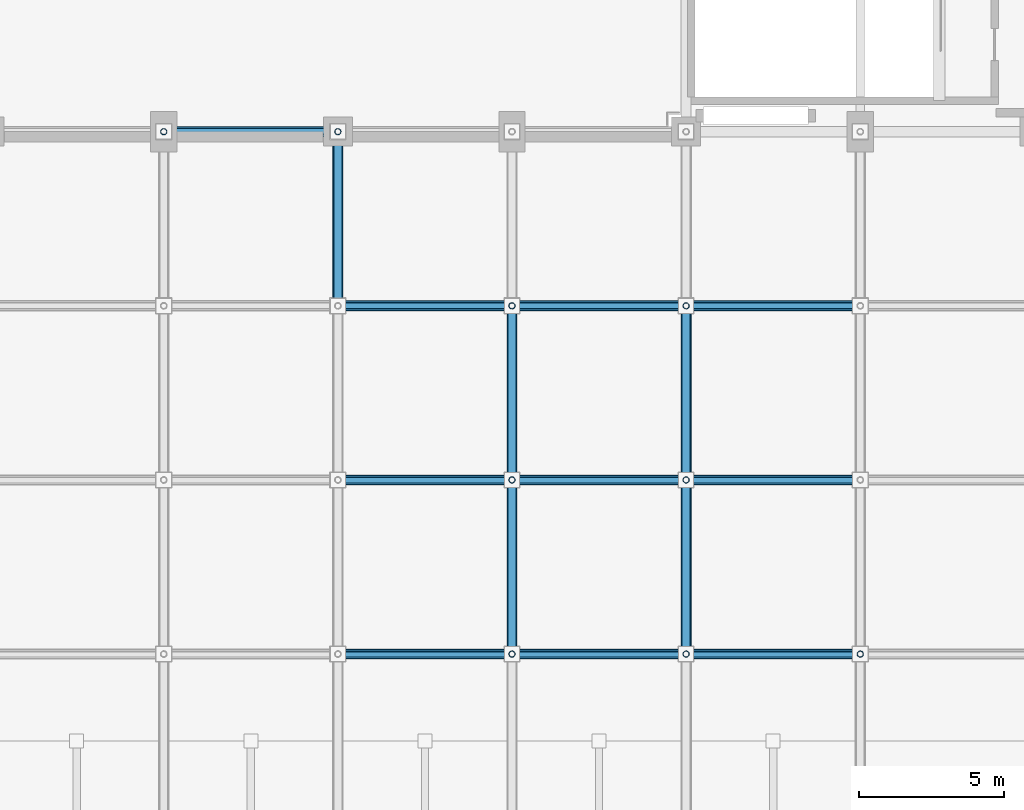
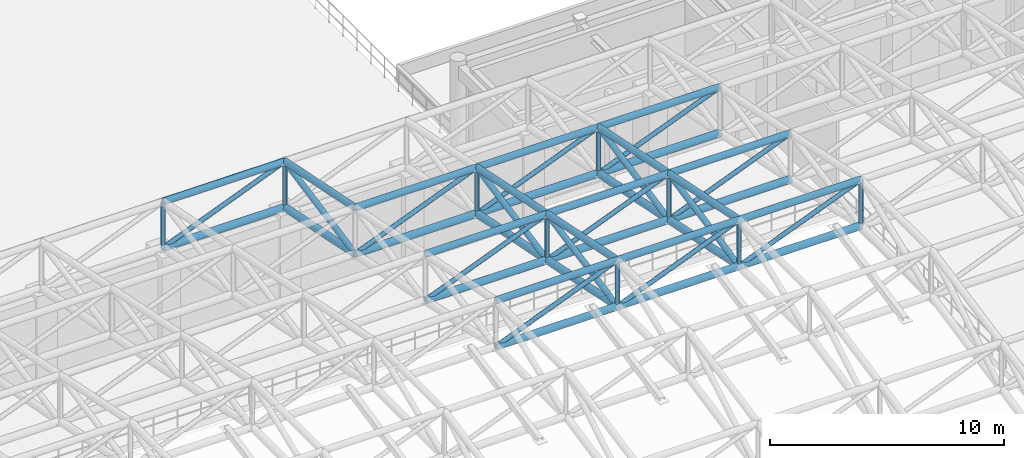
# One storey, part 32 of 112: 54 members.
"""IFC4 building model written with IfcOpenShell, lengths in metres."""

from ifc_helpers import new_model, si_unit, direction, frame, origin, origin_2d, place, context, subcontext, project, spatial, hollow_circle, extrude, material, material_profile, profile_set, type_object, element, save


model = new_model("IFC4")

# Units and contexts
model_context = context("Model", 3, precision=1e-05, world=origin(), true_north=direction((0.0, 1.0)))
body_context = subcontext(model_context, "Body", "Model", "MODEL_VIEW")
ifc_project = project(units=[si_unit("LENGTHUNIT", "METRE"), si_unit("AREAUNIT", "SQUARE_METRE"), si_unit("VOLUMEUNIT", "CUBIC_METRE"), si_unit("PLANEANGLEUNIT", "RADIAN"), si_unit("MASSUNIT", "GRAM", prefix="KILO"), si_unit("THERMODYNAMICTEMPERATUREUNIT", "KELVIN"), si_unit("POWERUNIT", "WATT")], contexts=[model_context])

# Site, building, storey
site_placement = place(None, origin())
site = spatial("IfcSite", under=ifc_project, at=site_placement, CompositionType="ELEMENT")
building_placement = place(site_placement, origin())
building = spatial("IfcBuilding", under=site, at=building_placement, Name="Phaisarnlok Congress Hotel", CompositionType="ELEMENT")
storey_placement = place(building_placement, frame((0.0, 0.0, 19.800048828125)))
storey = spatial("IfcBuildingStorey", under=building, at=storey_placement, Name="L04", CompositionType="ELEMENT", Elevation=19.800048828125)

# Members
ifc_material = material(Name="Steel S355", Category="steel")
ifc_material_profile_1 = material_profile(ifc_material, hollow_circle(Radius=0.109619140625, WallThickness=0.012451171875, at=origin_2d()), Name="CHS 219.1x12.5")
ifc_profile_set_1 = profile_set([ifc_material_profile_1], Name="Steel S355")
member_type_1 = type_object("IfcMemberType", Name="MEM-BRC-CHS219", PredefinedType="BRACE", material=ifc_profile_set_1)
member_1_placement = place(storey_placement, frame((24.0, 84.0, 4.800048828125), z_axis=(0.0, 0.0, 1.0), x_axis=(1.0, 0.0, 0.0)))
element("IfcMember", 1, at=member_1_placement, inside=storey, type_object=member_type_1, Name="Congress Hall space frame vertical brace TB-02", PredefinedType="BRACE", context=body_context, shape_type="SweptSolid", body=[
    extrude(hollow_circle(Radius=0.109619140625, WallThickness=0.012451171875, at=origin_2d()), origin(), (0.0, 0.0, 1.0), 2.39990234375),
])
for number, where, z_axis, x_axis, name in (
    (2, (24.0, 84.0, 4.800048828125), (0.928481901832, 0.0, 0.371377648723), (0.0, 1.0, 0.0), "Congress Hall space frame web diagonal TB-02"),
    (3, (30.0, 66.0, 8.462158203125), (0.928481901832, 0.0, 0.371377648723), (0.0, 1.0, 0.0), "Congress Hall space frame web diagonal TB-02"),
    (4, (30.0, 72.0, 7.241455078125), (0.928481901832, 0.0, 0.371377648723), (0.0, 1.0, 0.0), "Congress Hall space frame web diagonal TB-02"),
    (5, (30.0, 78.0, 6.020751953125), (0.928481901832, 0.0, 0.371377648723), (0.0, 1.0, 0.0), "Congress Hall space frame web diagonal TB-02"),
):
    element("IfcMember", number, at=place(storey_placement, frame(where, z_axis=z_axis, x_axis=x_axis)), inside=storey, type_object=member_type_1, Name=name, PredefinedType="BRACE", context=body_context, shape_type="SweptSolid", body=[
        extrude(hollow_circle(Radius=0.109619140625, WallThickness=0.012451171875, at=origin_2d()), origin(), (0.0, 0.0, 1.0), 6.462158203125),
    ])
for number, where, z_axis, x_axis, name in (
    (6, (30.0, 84.0, 4.800048828125), (0.0, 0.0, 1.0), (1.0, 0.0, 0.0), "Congress Hall space frame vertical brace TB-02"),
    (7, (36.0, 66.0, 8.462158203125), (0.0, 0.0, 1.0), (1.0, 0.0, 0.0), "Congress Hall space frame vertical brace TB-02"),
):
    element("IfcMember", number, at=place(storey_placement, frame(where, z_axis=z_axis, x_axis=x_axis)), inside=storey, type_object=member_type_1, Name=name, PredefinedType="BRACE", context=body_context, shape_type="SweptSolid", body=[
        extrude(hollow_circle(Radius=0.109619140625, WallThickness=0.012451171875, at=origin_2d()), origin(), (0.0, 0.0, 1.0), 2.39990234375),
    ])
member_2_placement = place(storey_placement, frame((36.0, 66.0, 8.462158203125), z_axis=(0.928481901832, 0.0, 0.371377648723), x_axis=(0.0, 1.0, 0.0)))
element("IfcMember", 8, at=member_2_placement, inside=storey, type_object=member_type_1, Name="Congress Hall space frame web diagonal TB-02", PredefinedType="BRACE", context=body_context, shape_type="SweptSolid", body=[
    extrude(hollow_circle(Radius=0.109619140625, WallThickness=0.012451171875, at=origin_2d()), origin(), (0.0, 0.0, 1.0), 6.462158203125),
])
member_3_placement = place(storey_placement, frame((36.0, 72.0, 7.241455078125), z_axis=(0.0, 0.0, 1.0), x_axis=(1.0, 0.0, 0.0)))
element("IfcMember", 9, at=member_3_placement, inside=storey, type_object=member_type_1, Name="Congress Hall space frame vertical brace TB-02", PredefinedType="BRACE", context=body_context, shape_type="SweptSolid", body=[
    extrude(hollow_circle(Radius=0.109619140625, WallThickness=0.012451171875, at=origin_2d()), origin(), (0.0, 0.0, 1.0), 2.39990234375),
])
member_4_placement = place(storey_placement, frame((36.0, 72.0, 7.241455078125), z_axis=(0.928481901832, 0.0, 0.371377648723), x_axis=(0.0, 1.0, 0.0)))
element("IfcMember", 10, at=member_4_placement, inside=storey, type_object=member_type_1, Name="Congress Hall space frame web diagonal TB-02", PredefinedType="BRACE", context=body_context, shape_type="SweptSolid", body=[
    extrude(hollow_circle(Radius=0.109619140625, WallThickness=0.012451171875, at=origin_2d()), origin(), (0.0, 0.0, 1.0), 6.462158203125),
])
member_5_placement = place(storey_placement, frame((36.0, 78.0, 6.020751953125), z_axis=(0.0, 0.0, 1.0), x_axis=(1.0, 0.0, 0.0)))
element("IfcMember", 11, at=member_5_placement, inside=storey, type_object=member_type_1, Name="Congress Hall space frame vertical brace TB-02", PredefinedType="BRACE", context=body_context, shape_type="SweptSolid", body=[
    extrude(hollow_circle(Radius=0.109619140625, WallThickness=0.012451171875, at=origin_2d()), origin(), (0.0, 0.0, 1.0), 2.39990234375),
])
member_6_placement = place(storey_placement, frame((36.0, 78.0, 6.020751953125), z_axis=(0.928481901832, 0.0, 0.371377648723), x_axis=(0.0, 1.0, 0.0)))
element("IfcMember", 12, at=member_6_placement, inside=storey, type_object=member_type_1, Name="Congress Hall space frame web diagonal TB-02", PredefinedType="BRACE", context=body_context, shape_type="SweptSolid", body=[
    extrude(hollow_circle(Radius=0.109619140625, WallThickness=0.012451171875, at=origin_2d()), origin(), (0.0, 0.0, 1.0), 6.462158203125),
])
member_7_placement = place(storey_placement, frame((42.0, 66.0, 8.462158203125), z_axis=(0.0, 0.0, 1.0), x_axis=(1.0, 0.0, 0.0)))
element("IfcMember", 13, at=member_7_placement, inside=storey, type_object=member_type_1, Name="Congress Hall space frame vertical brace TB-02", PredefinedType="BRACE", context=body_context, shape_type="SweptSolid", body=[
    extrude(hollow_circle(Radius=0.109619140625, WallThickness=0.012451171875, at=origin_2d()), origin(), (0.0, 0.0, 1.0), 2.39990234375),
])
member_8_placement = place(storey_placement, frame((42.0, 66.0, 8.462158203125), z_axis=(0.928481901832, 0.0, 0.371377648723), x_axis=(0.0, 1.0, 0.0)))
element("IfcMember", 14, at=member_8_placement, inside=storey, type_object=member_type_1, Name="Congress Hall space frame web diagonal TB-02", PredefinedType="BRACE", context=body_context, shape_type="SweptSolid", body=[
    extrude(hollow_circle(Radius=0.109619140625, WallThickness=0.012451171875, at=origin_2d()), origin(), (0.0, 0.0, 1.0), 6.462158203125),
])
member_9_placement = place(storey_placement, frame((42.0, 72.0, 7.241455078125), z_axis=(0.0, 0.0, 1.0), x_axis=(1.0, 0.0, 0.0)))
element("IfcMember", 15, at=member_9_placement, inside=storey, type_object=member_type_1, Name="Congress Hall space frame vertical brace TB-02", PredefinedType="BRACE", context=body_context, shape_type="SweptSolid", body=[
    extrude(hollow_circle(Radius=0.109619140625, WallThickness=0.012451171875, at=origin_2d()), origin(), (0.0, 0.0, 1.0), 2.39990234375),
])
member_10_placement = place(storey_placement, frame((42.0, 72.0, 7.241455078125), z_axis=(0.928481901832, 0.0, 0.371377648723), x_axis=(0.0, 1.0, 0.0)))
element("IfcMember", 16, at=member_10_placement, inside=storey, type_object=member_type_1, Name="Congress Hall space frame web diagonal TB-02", PredefinedType="BRACE", context=body_context, shape_type="SweptSolid", body=[
    extrude(hollow_circle(Radius=0.109619140625, WallThickness=0.012451171875, at=origin_2d()), origin(), (0.0, 0.0, 1.0), 6.462158203125),
])
member_11_placement = place(storey_placement, frame((42.0, 78.0, 6.020751953125), z_axis=(0.0, 0.0, 1.0), x_axis=(1.0, 0.0, 0.0)))
element("IfcMember", 17, at=member_11_placement, inside=storey, type_object=member_type_1, Name="Congress Hall space frame vertical brace TB-02", PredefinedType="BRACE", context=body_context, shape_type="SweptSolid", body=[
    extrude(hollow_circle(Radius=0.109619140625, WallThickness=0.012451171875, at=origin_2d()), origin(), (0.0, 0.0, 1.0), 2.39990234375),
])
member_12_placement = place(storey_placement, frame((42.0, 78.0, 6.020751953125), z_axis=(0.928481901832, 0.0, 0.371377648723), x_axis=(0.0, 1.0, 0.0)))
element("IfcMember", 18, at=member_12_placement, inside=storey, type_object=member_type_1, Name="Congress Hall space frame web diagonal TB-02", PredefinedType="BRACE", context=body_context, shape_type="SweptSolid", body=[
    extrude(hollow_circle(Radius=0.109619140625, WallThickness=0.012451171875, at=origin_2d()), origin(), (0.0, 0.0, 1.0), 6.462158203125),
])
member_13_placement = place(storey_placement, frame((48.0, 66.0, 8.462158203125), z_axis=(0.0, 0.0, 1.0), x_axis=(1.0, 0.0, 0.0)))
element("IfcMember", 19, at=member_13_placement, inside=storey, type_object=member_type_1, Name="Congress Hall space frame vertical brace TB-02", PredefinedType="BRACE", context=body_context, shape_type="SweptSolid", body=[
    extrude(hollow_circle(Radius=0.109619140625, WallThickness=0.012451171875, at=origin_2d()), origin(), (0.0, 0.0, 1.0), 2.39990234375),
])
ifc_material_profile_2 = material_profile(ifc_material, hollow_circle(Radius=0.136474609375, WallThickness=0.01611328125, at=origin_2d()), Name="CHS 273x16")
ifc_profile_set_2 = profile_set([ifc_material_profile_2], Name="Steel S355")
member_type_2 = type_object("IfcMemberType", Name="MEM-BRC-CHS273", PredefinedType="BRACE", material=ifc_profile_set_2)
for number, where, z_axis, x_axis, name in (
    (20, (30.0, 78.0, 6.020751953125), (0.0, 0.981229397887, 0.192844156567), (-1.0, 0.0, 0.0), "Congress Hall space frame raking brace TB-03"),
    (21, (36.0, 66.0, 8.462158203125), (0.0, 0.981229397887, 0.192844156567), (-1.0, 0.0, 0.0), "Congress Hall space frame raking brace TB-03"),
    (22, (36.0, 72.0, 7.241455078125), (0.0, 0.981229397887, 0.192844156567), (-1.0, 0.0, 0.0), "Congress Hall space frame raking brace TB-03"),
    (23, (42.0, 66.0, 8.462158203125), (0.0, 0.981229397887, 0.192844156567), (-1.0, 0.0, 0.0), "Congress Hall space frame raking brace TB-03"),
    (24, (42.0, 72.0, 7.241455078125), (0.0, 0.981229397887, 0.192844156567), (-1.0, 0.0, 0.0), "Congress Hall space frame raking brace TB-03"),
):
    element("IfcMember", number, at=place(storey_placement, frame(where, z_axis=z_axis, x_axis=x_axis)), inside=storey, type_object=member_type_2, Name=name, PredefinedType="BRACE", context=body_context, shape_type="SweptSolid", body=[
        extrude(hollow_circle(Radius=0.136474609375, WallThickness=0.01611328125, at=origin_2d()), origin(), (0.0, 0.0, 1.0), 6.11474609375),
    ])
ifc_material_profile_3 = material_profile(ifc_material, hollow_circle(Radius=0.161865234375, WallThickness=0.01611328125, at=origin_2d()), Name="CHS 323.9x16")
ifc_profile_set_3 = profile_set([ifc_material_profile_3], Name="Steel S355")
member_type_3 = type_object("IfcMemberType", Name="MEM-CHD-CHS324", PredefinedType="CHORD", material=ifc_profile_set_3)
for number, where, z_axis, x_axis, name in (
    (25, (24.0, 84.0, 7.199951171875), (1.0, 0.0, 0.0), (0.0, 1.0, 0.0), "Congress Hall space frame top chord TC-02"),
    (26, (30.0, 66.0, 10.862060546875), (1.0, 0.0, 0.0), (0.0, 1.0, 0.0), "Congress Hall space frame top chord TC-02"),
    (27, (30.0, 72.0, 9.641357421875), (1.0, 0.0, 0.0), (0.0, 1.0, 0.0), "Congress Hall space frame top chord TC-02"),
    (28, (30.0, 78.0, 8.420654296875), (1.0, 0.0, 0.0), (0.0, 1.0, 0.0), "Congress Hall space frame top chord TC-02"),
):
    element("IfcMember", number, at=place(storey_placement, frame(where, z_axis=z_axis, x_axis=x_axis)), inside=storey, type_object=member_type_3, Name=name, PredefinedType="CHORD", context=body_context, shape_type="SweptSolid", body=[
        extrude(hollow_circle(Radius=0.161865234375, WallThickness=0.01611328125, at=origin_2d()), origin(), (0.0, 0.0, 1.0), 6.0),
    ])
member_14_placement = place(storey_placement, frame((30.0, 78.0, 8.420654296875), z_axis=(0.0, 0.979925045119, -0.199366260807), x_axis=(-1.0, 0.0, 0.0)))
element("IfcMember", 29, at=member_14_placement, inside=storey, type_object=member_type_3, Name="Congress Hall space frame top chord TC-02", PredefinedType="CHORD", context=body_context, shape_type="SweptSolid", body=[
    extrude(hollow_circle(Radius=0.161865234375, WallThickness=0.01611328125, at=origin_2d()), origin(), (0.0, 0.0, 1.0), 6.122802734375),
])
member_15_placement = place(storey_placement, frame((36.0, 66.0, 10.862060546875), z_axis=(1.0, 0.0, 0.0), x_axis=(0.0, 1.0, 0.0)))
element("IfcMember", 30, at=member_15_placement, inside=storey, type_object=member_type_3, Name="Congress Hall space frame top chord TC-02", PredefinedType="CHORD", context=body_context, shape_type="SweptSolid", body=[
    extrude(hollow_circle(Radius=0.161865234375, WallThickness=0.01611328125, at=origin_2d()), origin(), (0.0, 0.0, 1.0), 6.0),
])
member_16_placement = place(storey_placement, frame((36.0, 66.0, 10.862060546875), z_axis=(0.0, 0.979925045119, -0.199366260807), x_axis=(-1.0, 0.0, 0.0)))
element("IfcMember", 31, at=member_16_placement, inside=storey, type_object=member_type_3, Name="Congress Hall space frame top chord TC-02", PredefinedType="CHORD", context=body_context, shape_type="SweptSolid", body=[
    extrude(hollow_circle(Radius=0.161865234375, WallThickness=0.01611328125, at=origin_2d()), origin(), (0.0, 0.0, 1.0), 6.122802734375),
])
member_17_placement = place(storey_placement, frame((36.0, 72.0, 9.641357421875), z_axis=(1.0, 0.0, 0.0), x_axis=(0.0, 1.0, 0.0)))
element("IfcMember", 32, at=member_17_placement, inside=storey, type_object=member_type_3, Name="Congress Hall space frame top chord TC-02", PredefinedType="CHORD", context=body_context, shape_type="SweptSolid", body=[
    extrude(hollow_circle(Radius=0.161865234375, WallThickness=0.01611328125, at=origin_2d()), origin(), (0.0, 0.0, 1.0), 6.0),
])
member_18_placement = place(storey_placement, frame((36.0, 72.0, 9.641357421875), z_axis=(0.0, 0.979925045119, -0.199366260807), x_axis=(-1.0, 0.0, 0.0)))
element("IfcMember", 33, at=member_18_placement, inside=storey, type_object=member_type_3, Name="Congress Hall space frame top chord TC-02", PredefinedType="CHORD", context=body_context, shape_type="SweptSolid", body=[
    extrude(hollow_circle(Radius=0.161865234375, WallThickness=0.01611328125, at=origin_2d()), origin(), (0.0, 0.0, 1.0), 6.122802734375),
])
for number, where, z_axis, x_axis, name in (
    (34, (36.0, 78.0, 8.420654296875), (1.0, 0.0, 0.0), (0.0, 1.0, 0.0), "Congress Hall space frame top chord TC-02"),
    (35, (42.0, 66.0, 10.862060546875), (1.0, 0.0, 0.0), (0.0, 1.0, 0.0), "Congress Hall space frame top chord TC-02"),
):
    element("IfcMember", number, at=place(storey_placement, frame(where, z_axis=z_axis, x_axis=x_axis)), inside=storey, type_object=member_type_3, Name=name, PredefinedType="CHORD", context=body_context, shape_type="SweptSolid", body=[
        extrude(hollow_circle(Radius=0.161865234375, WallThickness=0.01611328125, at=origin_2d()), origin(), (0.0, 0.0, 1.0), 6.0),
    ])
member_19_placement = place(storey_placement, frame((42.0, 66.0, 10.862060546875), z_axis=(0.0, 0.979925045119, -0.199366260807), x_axis=(-1.0, 0.0, 0.0)))
element("IfcMember", 36, at=member_19_placement, inside=storey, type_object=member_type_3, Name="Congress Hall space frame top chord TC-02", PredefinedType="CHORD", context=body_context, shape_type="SweptSolid", body=[
    extrude(hollow_circle(Radius=0.161865234375, WallThickness=0.01611328125, at=origin_2d()), origin(), (0.0, 0.0, 1.0), 6.122802734375),
])
member_20_placement = place(storey_placement, frame((42.0, 72.0, 9.641357421875), z_axis=(1.0, 0.0, 0.0), x_axis=(0.0, 1.0, 0.0)))
element("IfcMember", 37, at=member_20_placement, inside=storey, type_object=member_type_3, Name="Congress Hall space frame top chord TC-02", PredefinedType="CHORD", context=body_context, shape_type="SweptSolid", body=[
    extrude(hollow_circle(Radius=0.161865234375, WallThickness=0.01611328125, at=origin_2d()), origin(), (0.0, 0.0, 1.0), 6.0),
])
member_21_placement = place(storey_placement, frame((42.0, 72.0, 9.641357421875), z_axis=(0.0, 0.979925045119, -0.199366260807), x_axis=(-1.0, 0.0, 0.0)))
element("IfcMember", 38, at=member_21_placement, inside=storey, type_object=member_type_3, Name="Congress Hall space frame top chord TC-02", PredefinedType="CHORD", context=body_context, shape_type="SweptSolid", body=[
    extrude(hollow_circle(Radius=0.161865234375, WallThickness=0.01611328125, at=origin_2d()), origin(), (0.0, 0.0, 1.0), 6.122802734375),
])
member_22_placement = place(storey_placement, frame((42.0, 78.0, 8.420654296875), z_axis=(1.0, 0.0, 0.0), x_axis=(0.0, 1.0, 0.0)))
element("IfcMember", 39, at=member_22_placement, inside=storey, type_object=member_type_3, Name="Congress Hall space frame top chord TC-02", PredefinedType="CHORD", context=body_context, shape_type="SweptSolid", body=[
    extrude(hollow_circle(Radius=0.161865234375, WallThickness=0.01611328125, at=origin_2d()), origin(), (0.0, 0.0, 1.0), 6.0),
])
ifc_material_profile_4 = material_profile(ifc_material, hollow_circle(Radius=0.177734375, WallThickness=0.02001953125, at=origin_2d()), Name="CHS 355.6x20")
ifc_profile_set_4 = profile_set([ifc_material_profile_4], Name="Steel S355")
member_type_4 = type_object("IfcMemberType", Name="MEM-CHD-CHS356", PredefinedType="CHORD", material=ifc_profile_set_4)
for number, where, z_axis, x_axis, name in (
    (40, (24.0, 84.0, 4.800048828125), (1.0, 0.0, 0.0), (0.0, 1.0, 0.0), "Congress Hall space frame bottom chord TC-01"),
    (41, (30.0, 66.0, 8.462158203125), (1.0, 0.0, 0.0), (0.0, 1.0, 0.0), "Congress Hall space frame bottom chord TC-01"),
    (42, (30.0, 72.0, 7.241455078125), (1.0, 0.0, 0.0), (0.0, 1.0, 0.0), "Congress Hall space frame bottom chord TC-01"),
    (43, (30.0, 78.0, 6.020751953125), (1.0, 0.0, 0.0), (0.0, 1.0, 0.0), "Congress Hall space frame bottom chord TC-01"),
):
    element("IfcMember", number, at=place(storey_placement, frame(where, z_axis=z_axis, x_axis=x_axis)), inside=storey, type_object=member_type_4, Name=name, PredefinedType="CHORD", context=body_context, shape_type="SweptSolid", body=[
        extrude(hollow_circle(Radius=0.177734375, WallThickness=0.02001953125, at=origin_2d()), origin(), (0.0, 0.0, 1.0), 6.0),
    ])
member_23_placement = place(storey_placement, frame((30.0, 78.0, 6.020751953125), z_axis=(0.0, 0.979925045119, -0.199366260807), x_axis=(-1.0, 0.0, 0.0)))
element("IfcMember", 44, at=member_23_placement, inside=storey, type_object=member_type_4, Name="Congress Hall space frame bottom chord TC-01", PredefinedType="CHORD", context=body_context, shape_type="SweptSolid", body=[
    extrude(hollow_circle(Radius=0.177734375, WallThickness=0.02001953125, at=origin_2d()), origin(), (0.0, 0.0, 1.0), 6.122802734375),
])
member_24_placement = place(storey_placement, frame((36.0, 66.0, 8.462158203125), z_axis=(1.0, 0.0, 0.0), x_axis=(0.0, 1.0, 0.0)))
element("IfcMember", 45, at=member_24_placement, inside=storey, type_object=member_type_4, Name="Congress Hall space frame bottom chord TC-01", PredefinedType="CHORD", context=body_context, shape_type="SweptSolid", body=[
    extrude(hollow_circle(Radius=0.177734375, WallThickness=0.02001953125, at=origin_2d()), origin(), (0.0, 0.0, 1.0), 6.0),
])
member_25_placement = place(storey_placement, frame((36.0, 66.0, 8.462158203125), z_axis=(0.0, 0.979925045119, -0.199366260807), x_axis=(-1.0, 0.0, 0.0)))
element("IfcMember", 46, at=member_25_placement, inside=storey, type_object=member_type_4, Name="Congress Hall space frame bottom chord TC-01", PredefinedType="CHORD", context=body_context, shape_type="SweptSolid", body=[
    extrude(hollow_circle(Radius=0.177734375, WallThickness=0.02001953125, at=origin_2d()), origin(), (0.0, 0.0, 1.0), 6.122802734375),
])
member_26_placement = place(storey_placement, frame((36.0, 72.0, 7.241455078125), z_axis=(1.0, 0.0, 0.0), x_axis=(0.0, 1.0, 0.0)))
element("IfcMember", 47, at=member_26_placement, inside=storey, type_object=member_type_4, Name="Congress Hall space frame bottom chord TC-01", PredefinedType="CHORD", context=body_context, shape_type="SweptSolid", body=[
    extrude(hollow_circle(Radius=0.177734375, WallThickness=0.02001953125, at=origin_2d()), origin(), (0.0, 0.0, 1.0), 6.0),
])
member_27_placement = place(storey_placement, frame((36.0, 72.0, 7.241455078125), z_axis=(0.0, 0.979925045119, -0.199366260807), x_axis=(-1.0, 0.0, 0.0)))
element("IfcMember", 48, at=member_27_placement, inside=storey, type_object=member_type_4, Name="Congress Hall space frame bottom chord TC-01", PredefinedType="CHORD", context=body_context, shape_type="SweptSolid", body=[
    extrude(hollow_circle(Radius=0.177734375, WallThickness=0.02001953125, at=origin_2d()), origin(), (0.0, 0.0, 1.0), 6.122802734375),
])
for number, where, z_axis, x_axis, name in (
    (49, (36.0, 78.0, 6.020751953125), (1.0, 0.0, 0.0), (0.0, 1.0, 0.0), "Congress Hall space frame bottom chord TC-01"),
    (50, (42.0, 66.0, 8.462158203125), (1.0, 0.0, 0.0), (0.0, 1.0, 0.0), "Congress Hall space frame bottom chord TC-01"),
):
    element("IfcMember", number, at=place(storey_placement, frame(where, z_axis=z_axis, x_axis=x_axis)), inside=storey, type_object=member_type_4, Name=name, PredefinedType="CHORD", context=body_context, shape_type="SweptSolid", body=[
        extrude(hollow_circle(Radius=0.177734375, WallThickness=0.02001953125, at=origin_2d()), origin(), (0.0, 0.0, 1.0), 6.0),
    ])
member_28_placement = place(storey_placement, frame((42.0, 66.0, 8.462158203125), z_axis=(0.0, 0.979925045119, -0.199366260807), x_axis=(-1.0, 0.0, 0.0)))
element("IfcMember", 51, at=member_28_placement, inside=storey, type_object=member_type_4, Name="Congress Hall space frame bottom chord TC-01", PredefinedType="CHORD", context=body_context, shape_type="SweptSolid", body=[
    extrude(hollow_circle(Radius=0.177734375, WallThickness=0.02001953125, at=origin_2d()), origin(), (0.0, 0.0, 1.0), 6.122802734375),
])
member_29_placement = place(storey_placement, frame((42.0, 72.0, 7.241455078125), z_axis=(1.0, 0.0, 0.0), x_axis=(0.0, 1.0, 0.0)))
element("IfcMember", 52, at=member_29_placement, inside=storey, type_object=member_type_4, Name="Congress Hall space frame bottom chord TC-01", PredefinedType="CHORD", context=body_context, shape_type="SweptSolid", body=[
    extrude(hollow_circle(Radius=0.177734375, WallThickness=0.02001953125, at=origin_2d()), origin(), (0.0, 0.0, 1.0), 6.0),
])
member_30_placement = place(storey_placement, frame((42.0, 72.0, 7.241455078125), z_axis=(0.0, 0.979925045119, -0.199366260807), x_axis=(-1.0, 0.0, 0.0)))
element("IfcMember", 53, at=member_30_placement, inside=storey, type_object=member_type_4, Name="Congress Hall space frame bottom chord TC-01", PredefinedType="CHORD", context=body_context, shape_type="SweptSolid", body=[
    extrude(hollow_circle(Radius=0.177734375, WallThickness=0.02001953125, at=origin_2d()), origin(), (0.0, 0.0, 1.0), 6.122802734375),
])
member_31_placement = place(storey_placement, frame((42.0, 78.0, 6.020751953125), z_axis=(1.0, 0.0, 0.0), x_axis=(0.0, 1.0, 0.0)))
element("IfcMember", 54, at=member_31_placement, inside=storey, type_object=member_type_4, Name="Congress Hall space frame bottom chord TC-01", PredefinedType="CHORD", context=body_context, shape_type="SweptSolid", body=[
    extrude(hollow_circle(Radius=0.177734375, WallThickness=0.02001953125, at=origin_2d()), origin(), (0.0, 0.0, 1.0), 6.0),
])

save(model, "model.ifc")
